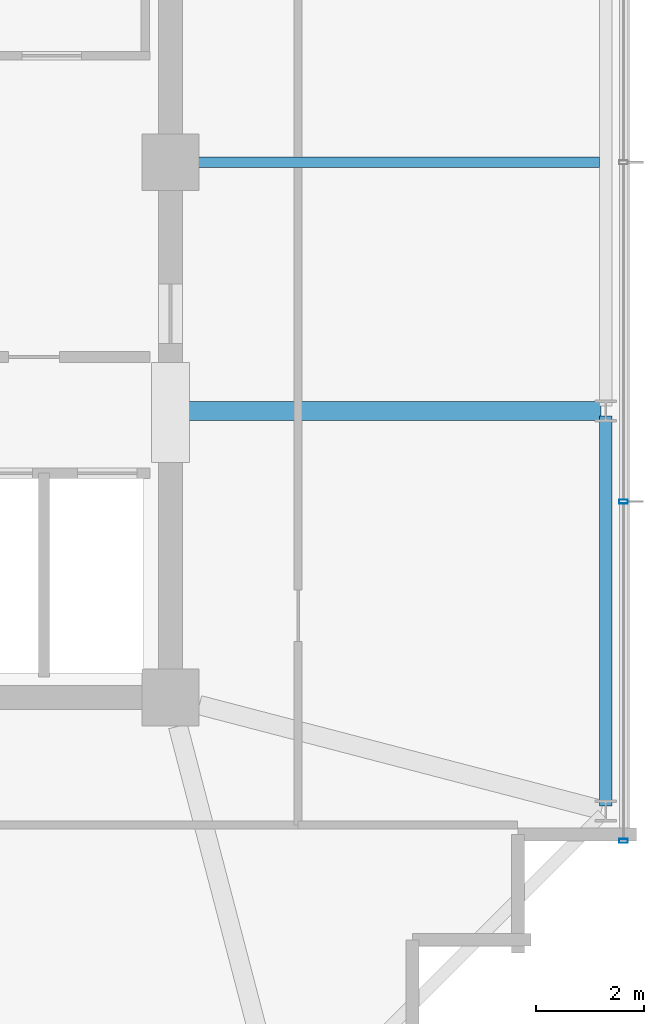
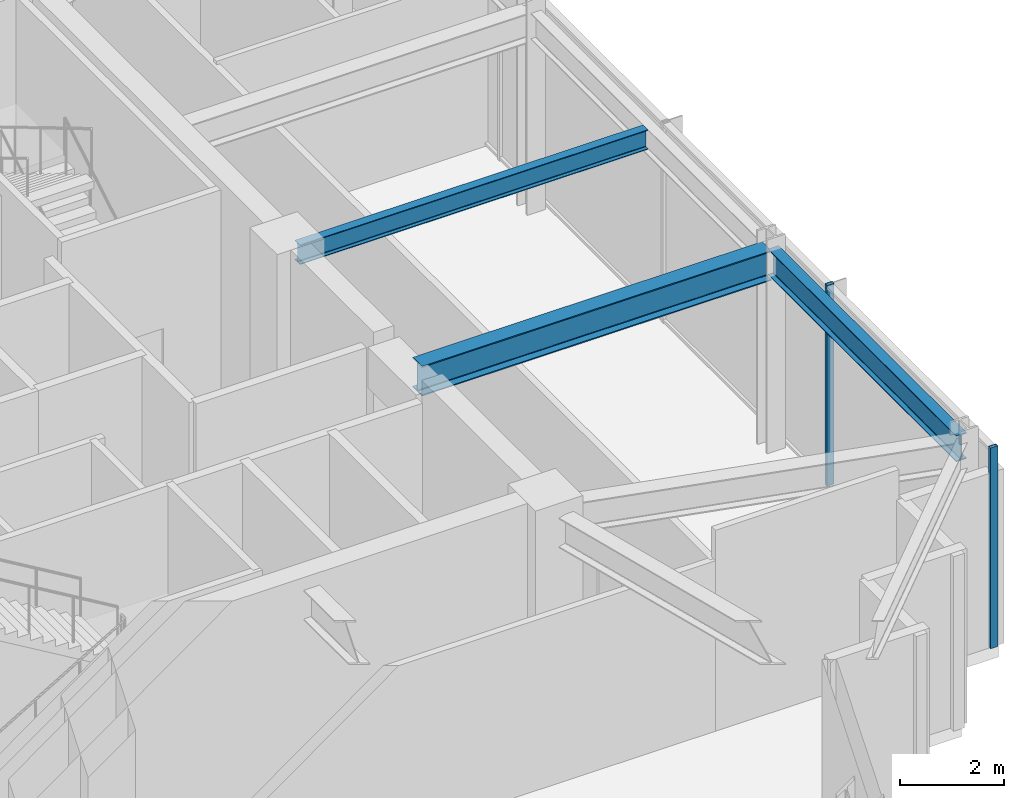
# One storey, part 11 of 31: 3 beams, 2 members, 1 element without a shape of its own.
"""IFC4 building model written with IfcOpenShell, lengths in metres."""

from ifc_helpers import new_model, si_unit, direction, frame, origin, origin_2d, place, context, subcontext, project, spatial, hollow_rectangle, i_section, extrude, material, material_profile, profile_set, type_object, element, aggregate, save


model = new_model("IFC4")

# Units and contexts
model_context = context("Model", 3, precision=1e-05, world=origin(), true_north=direction((0.0, 1.0)))
body_context = subcontext(model_context, "Body", "Model", "MODEL_VIEW")
ifc_project = project(units=[si_unit("LENGTHUNIT", "METRE"), si_unit("AREAUNIT", "SQUARE_METRE"), si_unit("VOLUMEUNIT", "CUBIC_METRE"), si_unit("PLANEANGLEUNIT", "RADIAN"), si_unit("MASSUNIT", "GRAM", prefix="KILO")], contexts=[model_context])

# Site, building, storey
site_placement = place(None, origin())
site = spatial("IfcSite", under=ifc_project, at=site_placement, CompositionType="ELEMENT")
building_placement = place(site_placement, origin())
building = spatial("IfcBuilding", under=site, at=building_placement, Name="Kolvaren Belvedere", CompositionType="ELEMENT")
storey_placement = place(building_placement, frame((0.0, 0.0, 267.39990234375)))
storey = spatial("IfcBuildingStorey", under=building, at=storey_placement, Name="L77", CompositionType="ELEMENT", Elevation=267.39990234375)

# Beams
ifc_material_1 = material(Name="Structural steel ASTM A992 Grade 50", Category="steel")
ifc_material_profile_1 = material_profile(ifc_material_1, i_section(OverallWidth=0.35498046875, OverallDepth=0.696044921875, WebThickness=0.015380859375, FlangeThickness=0.02490234375, FilletRadius=0.02197265625, at=origin_2d()), Name="W27X146")
ifc_profile_set_1 = profile_set([ifc_material_profile_1], Name="Structural steel ASTM A992 Grade 50")
beam_type_1 = type_object("IfcBeamType", Name="BM-GIRD-W27X146", PredefinedType="BEAM", material=ifc_profile_set_1)
beam_1_placement = place(storey_placement, frame((10.125, -4.60009765625, 4.35205078125), z_axis=(1.0, 0.0, 0.0), x_axis=(0.0, 1.0, 0.0)))
element("IfcBeam", 1, at=beam_1_placement, inside=storey, type_object=beam_type_1, Name="L77 East Radial Girder M", PredefinedType="BEAM", context=body_context, shape_type="SweptSolid", body=[
    extrude(i_section(OverallWidth=0.35498046875, OverallDepth=0.696044921875, WebThickness=0.015380859375, FlangeThickness=0.02490234375, FilletRadius=0.02197265625, at=origin_2d()), origin(), (0.0, 0.0, 1.0), 7.7333984375),
])
ifc_material_2 = material(Name="Structural steel ASTM A992 Grade 50", Category="steel")
ifc_material_profile_2 = material_profile(ifc_material_2, i_section(OverallWidth=0.19091796875, OverallDepth=0.4599609375, WebThickness=0.010009765625, FlangeThickness=0.01611328125, FilletRadius=0.014892578125, at=origin_2d()), Name="W18X55")
ifc_profile_set_2 = profile_set([ifc_material_profile_2], Name="Structural steel ASTM A992 Grade 50")
beam_type_2 = type_object("IfcBeamType", Name="BM-JOIST-W18X55", PredefinedType="BEAM", material=ifc_profile_set_2)
beam_2_placement = place(storey_placement, frame((10.125, 0.0, 4.47021484375), z_axis=(1.0, 0.0, 0.0), x_axis=(0.0, 1.0, 0.0)))
element("IfcBeam", 2, at=beam_2_placement, inside=storey, type_object=beam_type_2, Name="L77 East Centre Floor Beam", PredefinedType="BEAM", context=body_context, shape_type="SweptSolid", body=[
    extrude(i_section(OverallWidth=0.19091796875, OverallDepth=0.4599609375, WebThickness=0.010009765625, FlangeThickness=0.01611328125, FilletRadius=0.014892578125, at=origin_2d()), origin(), (0.0, 0.0, 1.0), 7.71044921875),
])
ifc_material_3 = material(Name="Structural steel ASTM A992 Grade 50", Category="steel")
ifc_material_profile_3 = material_profile(ifc_material_3, i_section(OverallWidth=0.22900390625, OverallDepth=0.612060546875, WebThickness=0.011962890625, FlangeThickness=0.01953125, FilletRadius=0.01806640625, at=origin_2d()), Name="W24X84")
ifc_profile_set_3 = profile_set([ifc_material_profile_3], Name="Structural steel ASTM A992 Grade 50")
beam_type_3 = type_object("IfcBeamType", Name="BM-SPAN-W24X84", PredefinedType="SPANDREL", material=ifc_profile_set_3)
beam_3_placement = place(storey_placement, frame((17.949951171875, -11.908447265625, 4.39404296875), z_axis=(0.0, 1.0, 0.0), x_axis=(-1.0, 0.0, 0.0)))
element("IfcBeam", 3, at=beam_3_placement, inside=storey, type_object=beam_type_3, Name="L77 Perimeter Spandrel E1-E2", PredefinedType="SPANDREL", context=body_context, shape_type="SweptSolid", body=[
    extrude(i_section(OverallWidth=0.22900390625, OverallDepth=0.612060546875, WebThickness=0.011962890625, FlangeThickness=0.01953125, FilletRadius=0.01806640625, at=origin_2d()), origin(), (0.0, 0.0, 1.0), 7.216796875),
])

# Curtain wall, members
ifc_material_4 = material(Name="Anodised pale-metal aluminium AA 6063-T6", Category="aluminium")
curtain_wall_type = type_object("IfcCurtainWallType", Name="CW-CRN-OBS", PredefinedType="NOTDEFINED", material=ifc_material_4)
curtain_wall_placement = place(storey_placement, origin())
curtain_wall = element("IfcCurtainWall", 4, at=curtain_wall_placement, inside=storey, type_object=curtain_wall_type, Name="L77 Unitised Curtain Wall FCW-L77-E", PredefinedType="NOTDEFINED")
ifc_material_5 = material(Name="Anodised pale-metal aluminium AA 6063-T6", Category="aluminium")
ifc_material_profile_4 = material_profile(ifc_material_5, hollow_rectangle(XDim=0.074951171875, YDim=0.159912109375, WallThickness=0.00439453125, at=origin_2d()), Name="ALU-MUL-160X75")
ifc_profile_set_4 = profile_set([ifc_material_profile_4], Name="Anodised pale-metal aluminium AA 6063-T6")
member_type = type_object("IfcMemberType", Name="CW-MUL-160", PredefinedType="MULLION", material=ifc_profile_set_4)
member_1_placement = place(storey_placement, frame((18.280029296875, -6.27490234375, 0.0), z_axis=(0.0, 0.0, 1.0), x_axis=(0.0, 1.0, 0.0)))
member_1 = element("IfcMember", 5, at=member_1_placement, type_object=member_type, Name="FCW-L77-E Unitised Mullion 4", PredefinedType="MULLION", context=body_context, shape_type="SweptSolid", body=[
    extrude(hollow_rectangle(XDim=0.074951171875, YDim=0.159912109375, WallThickness=0.00439453125, at=origin_2d()), origin(), (0.0, 0.0, 1.0), 4.7001953125),
])
member_2_placement = place(storey_placement, frame((18.280029296875, -12.550048828125, 0.0), z_axis=(0.0, 0.0, 1.0), x_axis=(0.0, 1.0, 0.0)))
member_2 = element("IfcMember", 6, at=member_2_placement, type_object=member_type, Name="FCW-L77-E Unitised Mullion 5", PredefinedType="MULLION", context=body_context, shape_type="SweptSolid", body=[
    extrude(hollow_rectangle(XDim=0.074951171875, YDim=0.159912109375, WallThickness=0.00439453125, at=origin_2d()), origin(), (0.0, 0.0, 1.0), 4.7001953125),
])
aggregate(curtain_wall, [member_1, member_2])

save(model, "model.ifc")
